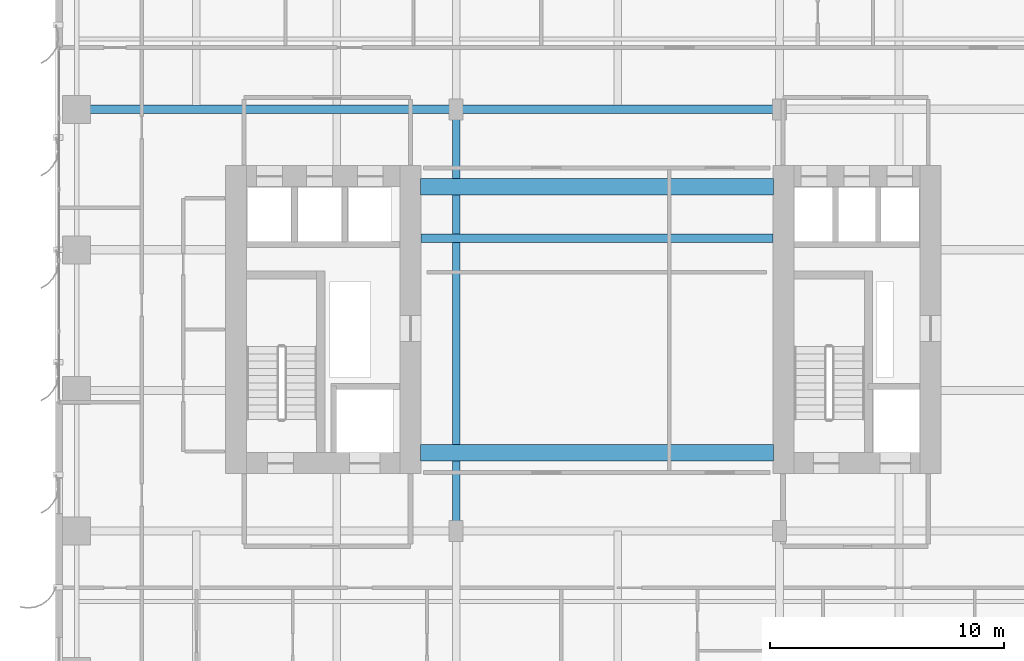
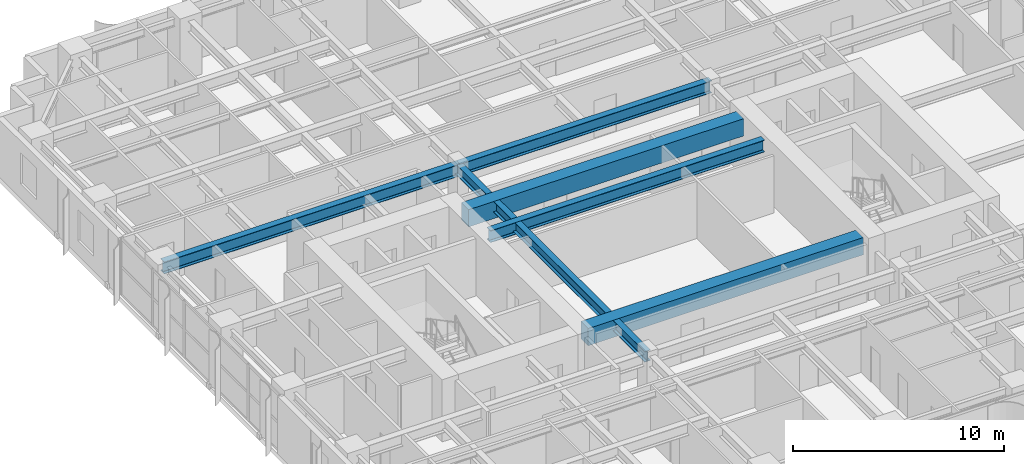
# One storey, part 6 of 25: 6 beams.
"""IFC4 building model written with IfcOpenShell, lengths in metres."""

from ifc_helpers import new_model, si_unit, direction, frame, origin, origin_2d, place, context, subcontext, project, spatial, rectangle, i_section, extrude, source, transform, mapped, material, material_profile, profile_set, type_object, element, save


model = new_model("IFC4")

# Units and contexts
model_context = context("Model", 3, precision=1e-05, world=origin(), true_north=direction((0.0, 1.0)))
body_context = subcontext(model_context, "Body", "Model", "MODEL_VIEW")
ifc_project = project(units=[si_unit("LENGTHUNIT", "METRE"), si_unit("AREAUNIT", "SQUARE_METRE"), si_unit("VOLUMEUNIT", "CUBIC_METRE"), si_unit("PLANEANGLEUNIT", "RADIAN"), si_unit("MASSUNIT", "GRAM", prefix="KILO")], contexts=[model_context])

# Site, building, storey
site_placement = place(None, origin())
site = spatial("IfcSite", under=ifc_project, at=site_placement, CompositionType="ELEMENT")
building_placement = place(site_placement, origin())
building = spatial("IfcBuilding", under=site, at=building_placement, Name="Khoralis Quay Care Tower", CompositionType="ELEMENT")
storey_placement = place(building_placement, frame((0.0, 0.0, 65.699951171875)))
storey = spatial("IfcBuildingStorey", under=building, at=storey_placement, Name="L17", CompositionType="ELEMENT", Elevation=65.699951171875)

# Beams
ifc_material_1 = material(Name="Concrete C80/95", Category="concrete")
ifc_material_profile_1 = material_profile(ifc_material_1, rectangle(XDim=0.699951171875, YDim=1.0, at=origin_2d()), Name="Concrete C80/95")
ifc_profile_set_1 = profile_set([ifc_material_profile_1], Name="Concrete C80/95")
beam_type_1 = type_object("IfcBeamType", Name="CB-RC700X1000", PredefinedType="LINTEL", material=ifc_profile_set_1)
shared_shape_1 = source(origin(), body_context, "Body", "SweptSolid", [
    extrude(rectangle(XDim=0.699951171875, YDim=1.0, at=origin_2d()), origin(), (0.0, 0.0, 1.0), 15.079833984375),
])
for number, where, z_axis, x_axis, name in (
    (1, (15.570068359375, 15.35009765625, 2.820068359375), (1.0, 0.0, 0.0), (0.0, 1.0, 0.0), "L17 South Core Coupling Lintel"),
    (2, (15.570068359375, 26.699951171875, 2.820068359375), (1.0, 0.0, 0.0), (0.0, 1.0, 0.0), "L17 North Core Coupling Lintel"),
):
    element("IfcBeam", number, at=place(storey_placement, frame(where, z_axis=z_axis, x_axis=x_axis)), inside=storey, type_object=beam_type_1, Name=name, PredefinedType="LINTEL", context=body_context, shape_type="MappedRepresentation", body=[
        mapped(shared_shape_1, transform((0.0, 0.0, 0.0), scale=1.0)),
    ])
ifc_material_2 = material(Name="Steel S355", Category="steel")
ifc_material_profile_2 = material_profile(ifc_material_2, i_section(OverallWidth=0.35498046875, OverallDepth=0.695068359375, WebThickness=0.015380859375, FlangeThickness=0.02490234375, FilletRadius=0.02001953125, at=origin_2d()), Name="Steel S355")
ifc_profile_set_2 = profile_set([ifc_material_profile_2], Name="Steel S355")
beam_type_2 = type_object("IfcBeamType", Name="BM-W690X217", PredefinedType="BEAM", material=ifc_profile_set_2)
shared_shape_2 = source(origin(), body_context, "Body", "SweptSolid", [
    extrude(i_section(OverallWidth=0.35498046875, OverallDepth=0.695068359375, WebThickness=0.015380859375, FlangeThickness=0.02490234375, FilletRadius=0.02001953125, at=origin_2d()), origin(), (0.0, 0.0, 1.0), 16.2001953125),
])
beam_1_placement = place(storey_placement, frame((0.89990234375, 30.0, 2.97265625), z_axis=(1.0, 0.0, 0.0), x_axis=(0.0, 1.0, 0.0)))
element("IfcBeam", 3, at=beam_1_placement, inside=storey, type_object=beam_type_2, Name="BM-TGXW-L17-300", PredefinedType="BEAM", context=body_context, shape_type="MappedRepresentation", body=[
    mapped(shared_shape_2, transform((0.0, 0.0, 0.0), scale=1.0)),
])
shared_shape_3 = source(origin(), body_context, "Body", "SweptSolid", [
    extrude(i_section(OverallWidth=0.35498046875, OverallDepth=0.695068359375, WebThickness=0.015380859375, FlangeThickness=0.02490234375, FilletRadius=0.02001953125, at=origin_2d()), origin(), (0.0, 0.0, 1.0), 13.7998046875),
])
beam_2_placement = place(storey_placement, frame((17.10009765625, 30.0, 2.97265625), z_axis=(1.0, 0.0, 0.0), x_axis=(0.0, 1.0, 0.0)))
element("IfcBeam", 4, at=beam_2_placement, inside=storey, type_object=beam_type_2, Name="BM-TGCC-L17-300", PredefinedType="BEAM", context=body_context, shape_type="MappedRepresentation", body=[
    mapped(shared_shape_3, transform((0.0, 0.0, 0.0), scale=1.0)),
])
shared_shape_4 = source(origin(), body_context, "Body", "SweptSolid", [
    extrude(i_section(OverallWidth=0.35498046875, OverallDepth=0.695068359375, WebThickness=0.015380859375, FlangeThickness=0.02490234375, FilletRadius=0.02001953125, at=origin_2d()), origin(), (0.0, 0.0, 1.0), 15.024169921875),
])
beam_3_placement = place(storey_placement, frame((15.597900390625, 24.5, 2.97265625), z_axis=(1.0, 0.0, 0.0), x_axis=(0.0, 1.0, 0.0)))
element("IfcBeam", 5, at=beam_3_placement, inside=storey, type_object=beam_type_2, Name="BM-TGCC-L17-245", PredefinedType="BEAM", context=body_context, shape_type="MappedRepresentation", body=[
    mapped(shared_shape_4, transform((0.0, 0.0, 0.0), scale=1.0)),
])
ifc_material_profile_3 = material_profile(ifc_material_2, i_section(OverallWidth=0.324951171875, OverallDepth=0.615966796875, WebThickness=0.013916015625, FlangeThickness=0.021484375, FilletRadius=0.01806640625, at=origin_2d()), Name="Steel S355")
ifc_profile_set_3 = profile_set([ifc_material_profile_3], Name="Steel S355")
beam_type_3 = type_object("IfcBeamType", Name="BM-W610X174", PredefinedType="BEAM", material=ifc_profile_set_3)
shared_shape_5 = source(origin(), body_context, "Body", "SweptSolid", [
    extrude(i_section(OverallWidth=0.324951171875, OverallDepth=0.615966796875, WebThickness=0.013916015625, FlangeThickness=0.021484375, FilletRadius=0.01806640625, at=origin_2d()), origin(), (0.0, 0.0, 1.0), 18.0),
])
beam_4_placement = place(storey_placement, frame((17.10009765625, 12.0, 3.011962890625), z_axis=(0.0, 1.0, 0.0), x_axis=(-1.0, 0.0, 0.0)))
element("IfcBeam", 6, at=beam_4_placement, inside=storey, type_object=beam_type_3, Name="BM-TGSW-L17", PredefinedType="BEAM", context=body_context, shape_type="MappedRepresentation", body=[
    mapped(shared_shape_5, transform((0.0, 0.0, 0.0), scale=1.0)),
])

save(model, "model.ifc")
